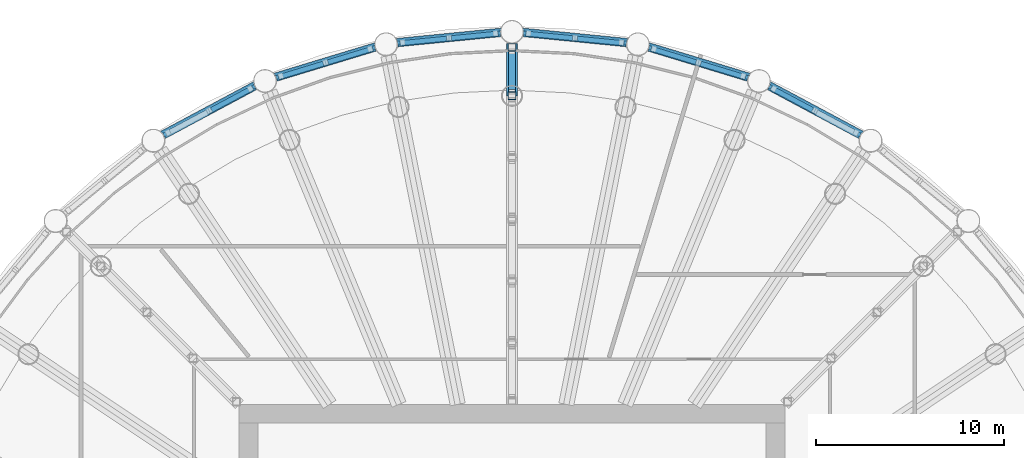
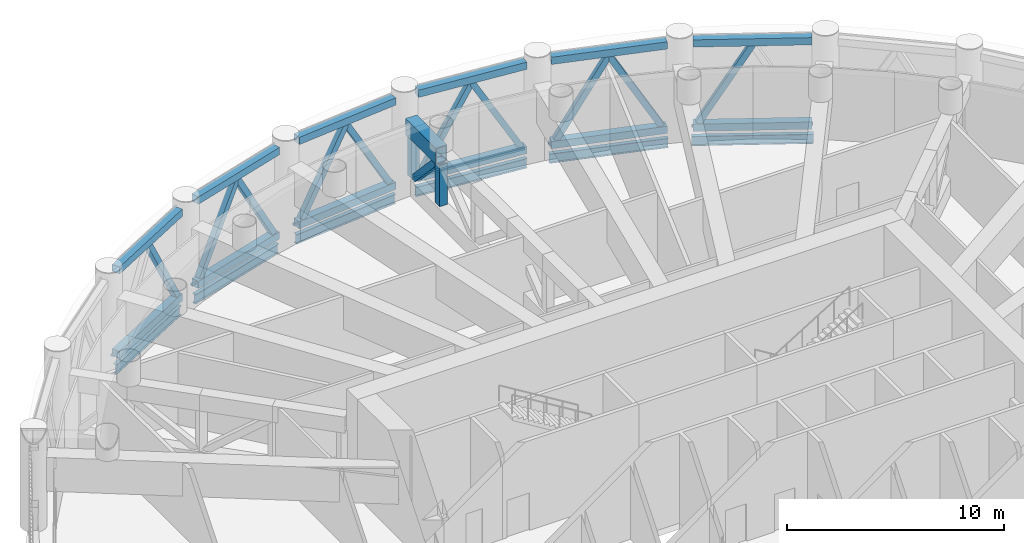
# One storey, part 8 of 29: 32 members, 6 beams, 6 elements without a shape of their own.
"""IFC4 building model written with IfcOpenShell, lengths in metres."""

import ifcopenshell
import ifcopenshell.guid

model = None  # the IFC model being written
_history = None  # IfcOwnerHistory: only IFC2X3 demands one
_inside = {}  # id of a spatial element -> (the spatial element, [elements in it])
_under = {}  # id of a project, library or spatial element -> (it, [spatial elements below it])
_declared = {}  # id of a project -> (the project, [libraries it declares])
_typed = {}  # id of a type object -> (the type object, [elements of that type])
_made_of = {}  # id of a material, layer set ... -> (it, [elements and type objects made of it])


def new_model(schema):
    """Start an empty IFC model of exactly this schema.

    Asked for "IFC4X3", IfcOpenShell would pick the latest addendum, in which some entities
    have other attributes; the version numbers below select the first issue.
    IFC2X3 requires an IfcOwnerHistory on every rooted entity: one is made here for all.
    """
    global model, _history
    if schema == "IFC4X3":
        model = ifcopenshell.file(schema_version=(4, 3, 0, 0))
    else:
        model = ifcopenshell.file(schema=schema)
    _inside.clear()
    _under.clear()
    _declared.clear()
    _typed.clear()
    _made_of.clear()
    _history = None
    if model.schema == "IFC2X3":
        org = make("IfcOrganization", Name="unknown")
        user = make(
            "IfcPersonAndOrganization",
            ThePerson=make("IfcPerson", FamilyName="unknown"),
            TheOrganization=org,
        )
        app = make(
            "IfcApplication",
            ApplicationDeveloper=org,
            Version="unknown",
            ApplicationFullName="unknown",
            ApplicationIdentifier="unknown",
        )
        _history = make(
            "IfcOwnerHistory",
            OwningUser=user,
            OwningApplication=app,
            ChangeAction="ADDED",
            CreationDate=0,
        )
    return model


def make(cls, **values):
    """One entity of the class cls with the attributes given. An attribute that is None is left unset."""
    return model.create_entity(
        cls, **{name: value for name, value in values.items() if value is not None}
    )


def rooted(cls, **values):
    """An entity with a GlobalId (a new one), such as an element, a storey or a relation."""
    return make(cls, GlobalId=ifcopenshell.guid.new(), OwnerHistory=_history, **values)


def si_unit(unit_type, name, prefix=None):
    """IfcSIUnit, for example si_unit("LENGTHUNIT", "METRE", prefix="MILLI")."""
    return make("IfcSIUnit", UnitType=unit_type, Prefix=prefix, Name=name)


def assignment(units):
    """IfcUnitAssignment: the units of a project."""
    return None if units is None else make("IfcUnitAssignment", Units=units)


def point(xyz):
    """IfcCartesianPoint."""
    return None if xyz is None else make("IfcCartesianPoint", Coordinates=xyz)


def direction(xyz):
    """IfcDirection."""
    return None if xyz is None else make("IfcDirection", DirectionRatios=xyz)


def frame(location, z_axis=None, x_axis=None):
    """IfcAxis2Placement3D, a coordinate frame: its origin and axes. An axis left out is left unset."""
    return make(
        "IfcAxis2Placement3D",
        Location=point(location),
        Axis=direction(z_axis),
        RefDirection=direction(x_axis),
    )


def frame_2d(location, x_axis=None):
    """IfcAxis2Placement2D, a coordinate frame in the plane: its origin and x axis."""
    return make(
        "IfcAxis2Placement2D", Location=point(location), RefDirection=direction(x_axis)
    )


def origin():
    """The frame at (0, 0, 0) with its axes left unset."""
    return frame((0.0, 0.0, 0.0))


def origin_2d():
    """The frame at (0, 0) in the plane with its x axis left unset."""
    return frame_2d((0.0, 0.0))


def place(relative_to, where):
    """IfcLocalPlacement: puts the frame where relative to a parent placement (None: the world)."""
    return make(
        "IfcLocalPlacement", PlacementRelTo=relative_to, RelativePlacement=where
    )


def context(
    kind, dimensions, precision=None, world=None, true_north=None, identifier=None
):
    """IfcGeometricRepresentationContext, for example the 3D "Model" context."""
    return make(
        "IfcGeometricRepresentationContext",
        ContextIdentifier=identifier,
        ContextType=kind,
        CoordinateSpaceDimension=dimensions,
        Precision=precision,
        WorldCoordinateSystem=world,
        TrueNorth=true_north,
    )


def subcontext(parent, identifier, kind, view, scale=None):
    """IfcGeometricRepresentationSubContext, for example "Body" below "Model"."""
    return make(
        "IfcGeometricRepresentationSubContext",
        ContextIdentifier=identifier,
        ContextType=kind,
        ParentContext=parent,
        TargetScale=scale,
        TargetView=view,
    )


def project(units=None, contexts=None):
    """IfcProject with its units and contexts."""
    return rooted(
        "IfcProject",
        Name="project",
        RepresentationContexts=contexts,
        UnitsInContext=assignment(units),
    )


def spatial(cls, under=None, at=None, **own):
    """A site, building, storey or space (cls), placed at a placement, below another one or the project."""
    s = rooted(cls, ObjectPlacement=at, **own)
    if under is not None:
        _under.setdefault(under.id(), (under, []))[1].append(s)
    return s


def profile(cls, at=None, kind="AREA", **sizes):
    """A parametric profile (cls). Its sizes go by their IFC names, for example OverallWidth=200.0."""
    return make(cls, ProfileType=kind, Position=at, **sizes)


def rectangle(**sizes):
    """IfcRectangleProfileDef."""
    return profile("IfcRectangleProfileDef", **sizes)


def hollow_rectangle(**sizes):
    """IfcRectangleHollowProfileDef."""
    return profile("IfcRectangleHollowProfileDef", **sizes)


def i_section(**sizes):
    """IfcIShapeProfileDef."""
    return profile("IfcIShapeProfileDef", **sizes)


def extrude(swept, where, along, depth):
    """IfcExtrudedAreaSolid: the profile swept, set in the frame where, extruded along a direction by depth."""
    return make(
        "IfcExtrudedAreaSolid",
        SweptArea=swept,
        Position=where,
        ExtrudedDirection=direction(along),
        Depth=depth,
    )


def shape(context_of_items, identifier, shape_type, items):
    """IfcShapeRepresentation: the items that make up one representation, for example the "Body"."""
    return make(
        "IfcShapeRepresentation",
        ContextOfItems=context_of_items,
        RepresentationIdentifier=identifier,
        RepresentationType=shape_type,
        Items=items,
    )


def material(Name=None, Category=None):
    """IfcMaterial."""
    return make("IfcMaterial", Name=Name, Category=Category)


def material_profile(
    of_material, cross_section, Name=None, Category=None, Priority=None
):
    """IfcMaterialProfile: a cross section and its material."""
    return make(
        "IfcMaterialProfile",
        Name=Name,
        Material=of_material,
        Profile=cross_section,
        Priority=Priority,
        Category=Category,
    )


def profile_set(profiles, Name=None, composite=None):
    """IfcMaterialProfileSet."""
    return make(
        "IfcMaterialProfileSet",
        Name=Name,
        MaterialProfiles=profiles,
        CompositeProfile=composite,
    )


def made_of(thing, what):
    """Note that an element or type object is made of a material, layer set ...; save() writes the relation."""
    if what is not None:
        _made_of.setdefault(what.id(), (what, []))[1].append(thing)
    return thing


def type_object(cls, material=None, **own):
    """A type object (cls), such as IfcWallType, which elements share."""
    return made_of(rooted(cls, **own), material)


def element(
    cls,
    number,
    at=None,
    inside=None,
    cuts=None,
    type_object=None,
    material=None,
    context=None,
    identifier="Body",
    shape_type=None,
    held_by="IfcProductDefinitionShape",
    body=None,
    shapes=None,
    **own,
):
    """One element of the class cls, such as IfcWall. Its Tag is "e" and its number.

    at: its placement. inside: the storey or other place that contains it. cuts: it is an
    opening in that element (IfcRelVoidsElement). A single representation is given by context,
    identifier, shape_type and body (its items); several are given by shapes. held_by: the class
    of the entity that holds the representations. save() writes the other relations.
    """
    e = rooted(cls, Tag="e%d" % number, ObjectPlacement=at, **own)
    if body is not None:
        shapes = [shape(context, identifier, shape_type, body)]
    if shapes is not None:
        e.Representation = make(held_by, Representations=shapes)
    if inside is not None:
        _inside.setdefault(inside.id(), (inside, []))[1].append(e)
    if cuts is not None:
        rooted(
            "IfcRelVoidsElement", RelatingBuildingElement=cuts, RelatedOpeningElement=e
        )
    if type_object is not None:
        _typed.setdefault(type_object.id(), (type_object, []))[1].append(e)
    return made_of(e, material)


def aggregate(whole, parts):
    """IfcRelAggregates: a whole, such as a stair, and the parts it consists of."""
    return rooted("IfcRelAggregates", RelatingObject=whole, RelatedObjects=parts)


def save(model, path):
    """Write the relations noted so far, then the file.

    IfcRelAggregates (storeys below a building ...), IfcRelContainedInSpatialStructure (elements
    in a storey), IfcRelDefinesByType, IfcRelAssociatesMaterial and IfcRelDeclares: one each for
    every whole, place, type object, material and project.
    """
    for whole, parts in _under.values():
        aggregate(whole, parts)
    for where, things in _inside.values():
        rooted(
            "IfcRelContainedInSpatialStructure",
            RelatedElements=things,
            RelatingStructure=where,
        )
    for kind, things in _typed.values():
        rooted("IfcRelDefinesByType", RelatedObjects=things, RelatingType=kind)
    for what, things in _made_of.values():
        rooted("IfcRelAssociatesMaterial", RelatedObjects=things, RelatingMaterial=what)
    for by, libraries in _declared.values():
        rooted("IfcRelDeclares", RelatingContext=by, RelatedDefinitions=libraries)
    model.write(path)


model = new_model("IFC4")

# Units and contexts
model_context = context("Model", 3, precision=1e-05, world=origin(), true_north=direction((0.0, 1.0)))
body_context = subcontext(model_context, "Body", "Model", "MODEL_VIEW")
ifc_project = project(units=[si_unit("LENGTHUNIT", "METRE"), si_unit("AREAUNIT", "SQUARE_METRE"), si_unit("VOLUMEUNIT", "CUBIC_METRE"), si_unit("PLANEANGLEUNIT", "RADIAN"), si_unit("MASSUNIT", "GRAM", prefix="KILO")], contexts=[model_context])

# Site, building, storey
site_placement = place(None, origin())
site = spatial("IfcSite", under=ifc_project, at=site_placement, CompositionType="ELEMENT")
building_placement = place(site_placement, origin())
building = spatial("IfcBuilding", under=site, at=building_placement, Name="Corvane Civic Tower", CompositionType="ELEMENT")
storey_placement = place(building_placement, frame((0.0, 0.0, 138.5)))
storey = spatial("IfcBuildingStorey", under=building, at=storey_placement, Name="L32", CompositionType="ELEMENT", Elevation=138.5)

# Members
ifc_material_1 = material(Name="Steel ASTM A500 Gr C", Category="steel")
ifc_material_profile_1 = material_profile(ifc_material_1, hollow_rectangle(XDim=0.406494140625, YDim=0.406494140625, WallThickness=0.0146484375, at=origin_2d()), Name="HSS16X16X5/8")
ifc_profile_set_1 = profile_set([ifc_material_profile_1], Name="Steel ASTM A500 Gr C")
member_type_1 = type_object("IfcMemberType", Name="BELT CHORD HSS16X16X5/8", PredefinedType="CHORD", material=ifc_profile_set_1)
for number, where, z_axis, x_axis, name in (
    (1, (0.6220703125, 34.23876953125, 4.94677734375), (0.995183154593, -0.098033100605, 0.0), (0.098033100605, 0.995183154593, 0.0), "Belt truss BT-L32"),
    (2, (0.6220703125, 34.23876953125, 0.203125), (0.995183154593, -0.098033100605, 0.0), (0.098033100605, 0.995183154593, 0.0), "Belt truss BT-L32"),
    (3, (7.289794921875, 33.45947265625, 4.94677734375), (0.956931700875, -0.290313141039, 0.0), (0.290313141039, 0.956931700875, 0.0), "Belt truss BT-L32"),
    (4, (7.289794921875, 33.45947265625, 0.203125), (0.956931700875, -0.290313141039, 0.0), (0.290313141039, 0.956931700875, 0.0), "Belt truss BT-L32"),
    (5, (13.67724609375, 31.394287109375, 4.94677734375), (0.881929111224, -0.47138205606, 0.0), (0.47138205606, 0.881929111224, 0.0), "Belt truss BT-L32"),
    (6, (13.67724609375, 31.394287109375, 0.203125), (0.881929111224, -0.47138205606, 0.0), (0.47138205606, 0.881929111224, 0.0), "Belt truss BT-L32"),
    (7, (-18.5048828125, 28.81396484375, 4.94677734375), (0.881929111224, 0.47138205606, 0.0), (-0.47138205606, 0.881929111224, 0.0), "Belt truss BT-L32"),
    (8, (-18.5048828125, 28.81396484375, 0.203125), (0.881929111224, 0.47138205606, 0.0), (-0.47138205606, 0.881929111224, 0.0), "Belt truss BT-L32"),
    (9, (-12.52783203125, 31.870361328125, 4.94677734375), (0.956931700875, 0.290313141039, 0.0), (-0.290313141039, 0.956931700875, 0.0), "Belt truss BT-L32"),
    (10, (-12.52783203125, 31.870361328125, 0.203125), (0.956931700875, 0.290313141039, 0.0), (-0.290313141039, 0.956931700875, 0.0), "Belt truss BT-L32"),
    (11, (-6.069580078125, 33.7021484375, 4.94677734375), (0.995183154593, 0.098033100605, 0.0), (-0.098033100605, 0.995183154593, 0.0), "Belt truss BT-L32"),
    (12, (-6.069580078125, 33.7021484375, 0.203125), (0.995183154593, 0.098033100605, 0.0), (-0.098033100605, 0.995183154593, 0.0), "Belt truss BT-L32"),
):
    element("IfcMember", number, at=place(storey_placement, frame(where, z_axis=z_axis, x_axis=x_axis)), inside=storey, type_object=member_type_1, Name=name, PredefinedType="CHORD", context=body_context, shape_type="SweptSolid", body=[
        extrude(hollow_rectangle(XDim=0.406494140625, YDim=0.406494140625, WallThickness=0.0146484375, at=origin_2d()), origin(), (0.0, 0.0, 1.0), 5.473876953125),
    ])
ifc_material_2 = material(Name="Steel ASTM A500 Gr C", Category="steel")
ifc_material_profile_2 = material_profile(ifc_material_2, hollow_rectangle(XDim=0.3046875, YDim=0.3046875, WallThickness=0.01171875, at=origin_2d()), Name="HSS12X12X1/2")
ifc_profile_set_2 = profile_set([ifc_material_profile_2], Name="Steel ASTM A500 Gr C")
member_type_2 = type_object("IfcMemberType", Name="BELT DIAGONAL HSS12X12X1/2", PredefinedType="BRACE", material=ifc_profile_set_2)
member_1_placement = place(storey_placement, frame((0.870849609375, 34.21435546875, 0.406494140625), z_axis=(0.495053837868, -0.048782677454, 0.867491756729), x_axis=(0.098065181873, 0.995179993822, 0.0)))
element("IfcMember", 13, at=member_1_placement, inside=storey, type_object=member_type_2, Name="Belt truss BT-L32", PredefinedType="BRACE", context=body_context, shape_type="SweptSolid", body=[
    extrude(hollow_rectangle(XDim=0.3046875, YDim=0.3046875, WallThickness=0.01171875, at=origin_2d()), origin(), (0.0, 0.0, 1.0), 4.999755859375),
])
for number, where, z_axis, x_axis, name in (
    (14, (5.82080078125, 33.7265625, 0.406494140625), (-0.495016972565, 0.048783856722, 0.867512727397), (-0.098074762811, -0.995179049669, 0.0), "Belt truss BT-L32"),
    (15, (7.529052734375, 33.386962890625, 0.406494140625), (0.475977281417, -0.144399796979, 0.867521945663), (0.290309839091, 0.956932702611, 0.0), "Belt truss BT-L32"),
    (16, (12.28857421875, 31.94287109375, 0.406494140625), (-0.476011692933, 0.14444425397, 0.867495663209), (-0.290372459305, -0.956913702942, 0.0), "Belt truss BT-L32"),
    (17, (13.897705078125, 31.276611328125, 0.406494140625), (0.438705197767, -0.234490467462, 0.867497533208), (0.471393068459, 0.881923225122, 0.0), "Belt truss BT-L32"),
    (18, (-13.897705078125, 31.276611328125, 0.406494140625), (-0.438705197767, -0.234490467462, 0.867497533208), (0.471393068459, -0.881923225122, 0.0), "Belt truss BT-L32"),
    (19, (-12.28857421875, 31.94287109375, 0.406494140625), (0.476011692933, 0.14444425397, 0.867495663209), (-0.290372459305, 0.956913702942, 0.0), "Belt truss BT-L32"),
    (20, (-7.529052734375, 33.386962890625, 0.406494140625), (-0.475977281417, -0.144399796979, 0.867521945663), (0.290309839091, -0.956932702611, 0.0), "Belt truss BT-L32"),
    (21, (-5.82080078125, 33.7265625, 0.406494140625), (0.495016972565, 0.048783856722, 0.867512727397), (-0.098074762811, 0.995179049669, 0.0), "Belt truss BT-L32"),
):
    element("IfcMember", number, at=place(storey_placement, frame(where, z_axis=z_axis, x_axis=x_axis)), inside=storey, type_object=member_type_2, Name=name, PredefinedType="BRACE", context=body_context, shape_type="SweptSolid", body=[
        extrude(hollow_rectangle(XDim=0.3046875, YDim=0.3046875, WallThickness=0.01171875, at=origin_2d()), origin(), (0.0, 0.0, 1.0), 4.99951171875),
    ])
member_2_placement = place(storey_placement, frame((-0.870849609375, 34.21435546875, 0.406494140625), z_axis=(-0.495053837868, -0.048782677454, 0.867491756729), x_axis=(0.098065181873, -0.995179993822, 0.0)))
element("IfcMember", 22, at=member_2_placement, inside=storey, type_object=member_type_2, Name="Belt truss BT-L32", PredefinedType="BRACE", context=body_context, shape_type="SweptSolid", body=[
    extrude(hollow_rectangle(XDim=0.3046875, YDim=0.3046875, WallThickness=0.01171875, at=origin_2d()), origin(), (0.0, 0.0, 1.0), 4.999755859375),
])

# Beams
ifc_material_3 = material(Name="Steel ASTM A992 Gr 50", Category="steel")
ifc_material_profile_3 = material_profile(ifc_material_3, i_section(OverallWidth=0.209228515625, OverallDepth=0.533447265625, WebThickness=0.01025390625, FlangeThickness=0.015625, at=origin_2d()), Name="W21X62")
ifc_profile_set_3 = profile_set([ifc_material_profile_3], Name="Steel ASTM A992 Gr 50")
beam_type = type_object("IfcBeamType", Name="EDGE BEAM W21X62", PredefinedType="BEAM", material=ifc_profile_set_3)
beam_1_placement = place(storey_placement, frame((0.54736328125, 34.24609375, -0.61669921875), z_axis=(0.995184368522, -0.098020776625, 0.0), x_axis=(0.098020776625, 0.995184368522, 0.0)))
element("IfcBeam", 23, at=beam_1_placement, inside=storey, type_object=beam_type, Name="BM-L32-E01", PredefinedType="BEAM", context=body_context, shape_type="SweptSolid", body=[
    extrude(i_section(OverallWidth=0.209228515625, OverallDepth=0.533447265625, WebThickness=0.01025390625, FlangeThickness=0.015625, at=origin_2d()), origin(), (0.0, 0.0, 1.0), 5.6240234375),
])
beam_2_placement = place(storey_placement, frame((7.218017578125, 33.481201171875, -0.61669921875), z_axis=(0.956936367498, -0.290297758448, 0.0), x_axis=(0.290297758448, 0.956936367498, 0.0)))
element("IfcBeam", 24, at=beam_2_placement, inside=storey, type_object=beam_type, Name="BM-L32-E02", PredefinedType="BEAM", context=body_context, shape_type="SweptSolid", body=[
    extrude(i_section(OverallWidth=0.209228515625, OverallDepth=0.533447265625, WebThickness=0.01025390625, FlangeThickness=0.015625, at=origin_2d()), origin(), (0.0, 0.0, 1.0), 5.623779296875),
])
for number, where, z_axis, x_axis, name in (
    (25, (13.611083984375, 31.4296875, -0.61669921875), (0.88192357867, -0.471392407008, 0.0), (0.471392407008, 0.88192357867, 0.0), "BM-L32-E03"),
    (26, (-18.571044921875, 28.778564453125, -0.61669921875), (0.88192357867, 0.471392407008, 0.0), (-0.471392407008, 0.88192357867, 0.0), "BM-L32-E30"),
):
    element("IfcBeam", number, at=place(storey_placement, frame(where, z_axis=z_axis, x_axis=x_axis)), inside=storey, type_object=beam_type, Name=name, PredefinedType="BEAM", context=body_context, shape_type="SweptSolid", body=[
        extrude(i_section(OverallWidth=0.209228515625, OverallDepth=0.533447265625, WebThickness=0.01025390625, FlangeThickness=0.015625, at=origin_2d()), origin(), (0.0, 0.0, 1.0), 5.6240234375),
    ])
beam_3_placement = place(storey_placement, frame((-12.599609375, 31.8486328125, -0.61669921875), z_axis=(0.956936367498, 0.290297758448, 0.0), x_axis=(-0.290297758448, 0.956936367498, 0.0)))
element("IfcBeam", 27, at=beam_3_placement, inside=storey, type_object=beam_type, Name="BM-L32-E31", PredefinedType="BEAM", context=body_context, shape_type="SweptSolid", body=[
    extrude(i_section(OverallWidth=0.209228515625, OverallDepth=0.533447265625, WebThickness=0.01025390625, FlangeThickness=0.015625, at=origin_2d()), origin(), (0.0, 0.0, 1.0), 5.623779296875),
])
beam_4_placement = place(storey_placement, frame((-6.144287109375, 33.69482421875, -0.61669921875), z_axis=(0.995184368522, 0.098020776625, 0.0), x_axis=(-0.098020776625, 0.995184368522, 0.0)))
element("IfcBeam", 28, at=beam_4_placement, inside=storey, type_object=beam_type, Name="BM-L32-E32", PredefinedType="BEAM", context=body_context, shape_type="SweptSolid", body=[
    extrude(i_section(OverallWidth=0.209228515625, OverallDepth=0.533447265625, WebThickness=0.01025390625, FlangeThickness=0.015625, at=origin_2d()), origin(), (0.0, 0.0, 1.0), 5.6240234375),
])

# Members
ifc_material_4 = material(Name="Steel ASTM A572 Gr 50", Category="steel")
ifc_material_profile_4 = material_profile(ifc_material_4, hollow_rectangle(XDim=0.60009765625, YDim=0.89990234375, WallThickness=0.0400390625, at=origin_2d()), Name="BOX900X600X40")
ifc_profile_set_4 = profile_set([ifc_material_profile_4], Name="Steel ASTM A572 Gr 50")
member_type_3 = type_object("IfcMemberType", Name="OUTRIGGER CHORD BOX900X600X40", PredefinedType="CHORD", material=ifc_profile_set_4)
member_3_placement = place(storey_placement, frame((0.0, 30.89990234375, 3.64990234375), z_axis=(0.0, 1.0, 0.0), x_axis=(-1.0, 0.0, 0.0)))
element("IfcMember", 29, at=member_3_placement, inside=storey, type_object=member_type_3, Name="Outrigger truss OT-L32-1", PredefinedType="CHORD", context=body_context, shape_type="SweptSolid", body=[
    extrude(hollow_rectangle(XDim=0.60009765625, YDim=0.89990234375, WallThickness=0.0400390625, at=origin_2d()), origin(), (0.0, 0.0, 1.0), 2.775146484375),
])
ifc_material_5 = material(Name="Steel ASTM A500 Gr C", Category="steel")
ifc_material_profile_5 = material_profile(ifc_material_5, hollow_rectangle(XDim=0.355712890625, YDim=0.355712890625, WallThickness=0.01171875, at=origin_2d()), Name="HSS14X14X1/2")
ifc_profile_set_5 = profile_set([ifc_material_profile_5], Name="Steel ASTM A500 Gr C")
member_type_4 = type_object("IfcMemberType", Name="OUTRIGGER DIAGONAL HSS14X14X1/2", PredefinedType="BRACE", material=ifc_profile_set_5)
member_4_placement = place(storey_placement, frame((0.0, 31.103271484375, 3.199951171875), z_axis=(0.0, 0.685453892401, -0.728116035665), x_axis=(-1.0, 0.0, 0.0)))
element("IfcMember", 30, at=member_4_placement, inside=storey, type_object=member_type_4, Name="Outrigger truss OT-L32-1", PredefinedType="BRACE", context=body_context, shape_type="SweptSolid", body=[
    extrude(hollow_rectangle(XDim=0.355712890625, YDim=0.355712890625, WallThickness=0.01171875, at=origin_2d()), origin(), (0.0, 0.0, 1.0), 3.158935546875),
])
ifc_material_6 = material(Name="Steel ASTM A500 Gr C", Category="steel")
ifc_material_profile_6 = material_profile(ifc_material_6, hollow_rectangle(XDim=0.406494140625, YDim=0.406494140625, WallThickness=0.0146484375, at=origin_2d()), Name="HSS16X16X5/8")
ifc_profile_set_6 = profile_set([ifc_material_profile_6], Name="Steel ASTM A500 Gr C")
member_type_5 = type_object("IfcMemberType", Name="OUTRIGGER POST HSS16X16X5/8", PredefinedType="POST", material=ifc_profile_set_6)
for number, where, z_axis, x_axis, name in (
    (31, (0.0, 30.89990234375, 0.89990234375), (0.0, 0.0, 1.0), (1.0, 0.0, 0.0), "Outrigger truss OT-L32-1"),
    (32, (0.0, 33.4716796875, 0.89990234375), (0.0, 0.0, 1.0), (1.0, 0.0, 0.0), "Outrigger truss OT-L32-1"),
):
    element("IfcMember", number, at=place(storey_placement, frame(where, z_axis=z_axis, x_axis=x_axis)), inside=storey, type_object=member_type_5, Name=name, PredefinedType="POST", context=body_context, shape_type="SweptSolid", body=[
        extrude(hollow_rectangle(XDim=0.406494140625, YDim=0.406494140625, WallThickness=0.0146484375, at=origin_2d()), origin(), (0.0, 0.0, 1.0), 2.300048828125),
    ])

# Curtain wall, member
ifc_material_7 = material(Name="Anodised aluminium bronze", Category="aluminium")
curtain_wall_type = type_object("IfcCurtainWallType", Name="TOWER CW-LV LOUVRE SCREEN WALL", PredefinedType="NOTDEFINED", material=ifc_material_7)
curtain_wall_1_placement = place(storey_placement, origin())
curtain_wall_1 = element("IfcCurtainWall", 33, at=curtain_wall_1_placement, inside=storey, type_object=curtain_wall_type, Name="Louvre screen wall CW-LV L32 bay 01", PredefinedType="NOTDEFINED")
ifc_material_8 = material(Name="Anodised aluminium bronze", Category="aluminium")
ifc_material_profile_7 = material_profile(ifc_material_8, rectangle(XDim=0.139892578125, YDim=0.1201171875, at=origin_2d()), Name="TOWER CW-LV TRANSOM 140x120")
ifc_profile_set_7 = profile_set([ifc_material_profile_7], Name="Anodised aluminium bronze")
member_type_6 = type_object("IfcMemberType", Name="TOWER CW-LV TRANSOM 140x120", PredefinedType="USERDEFINED", material=ifc_profile_set_7)
member_5_placement = place(storey_placement, frame((0.58349609375, 34.422607421875, 0.06005859375), z_axis=(0.995179807033, -0.098067077419, 0.0), x_axis=(0.098067077419, 0.995179807033, 0.0)))
member_5 = element("IfcMember", 34, at=member_5_placement, type_object=member_type_6, Name="Transom CW-LV L32 01.1", ObjectType="TRANSOM", PredefinedType="USERDEFINED", context=body_context, shape_type="SweptSolid", body=[
    extrude(rectangle(XDim=0.139892578125, YDim=0.1201171875, at=origin_2d()), origin(), (0.0, 0.0, 1.0), 5.58642578125),
])
aggregate(curtain_wall_1, [member_5])

curtain_wall_2_placement = place(storey_placement, origin())
curtain_wall_2 = element("IfcCurtainWall", 35, at=curtain_wall_2_placement, inside=storey, type_object=curtain_wall_type, Name="Louvre screen wall CW-LV L32 bay 02", PredefinedType="NOTDEFINED")
member_6_placement = place(storey_placement, frame((7.287841796875, 33.647216796875, 0.06005859375), z_axis=(0.956944977029, -0.290269376509, 0.0), x_axis=(0.290269376509, 0.956944977029, 0.0)))
member_6 = element("IfcMember", 36, at=member_6_placement, type_object=member_type_6, Name="Transom CW-LV L32 02.1", ObjectType="TRANSOM", PredefinedType="USERDEFINED", context=body_context, shape_type="SweptSolid", body=[
    extrude(rectangle(XDim=0.139892578125, YDim=0.1201171875, at=origin_2d()), origin(), (0.0, 0.0, 1.0), 5.58642578125),
])
aggregate(curtain_wall_2, [member_6])

curtain_wall_3_placement = place(storey_placement, origin())
curtain_wall_3 = element("IfcCurtainWall", 37, at=curtain_wall_3_placement, inside=storey, type_object=curtain_wall_type, Name="Louvre screen wall CW-LV L32 bay 03", PredefinedType="NOTDEFINED")
member_7_placement = place(storey_placement, frame((13.712158203125, 31.5791015625, 0.06005859375), z_axis=(0.881920705407, -0.47139778253, 0.0), x_axis=(0.47139778253, 0.881920705407, 0.0)))
member_7 = element("IfcMember", 38, at=member_7_placement, type_object=member_type_6, Name="Transom CW-LV L32 03.1", ObjectType="TRANSOM", PredefinedType="USERDEFINED", context=body_context, shape_type="SweptSolid", body=[
    extrude(rectangle(XDim=0.139892578125, YDim=0.1201171875, at=origin_2d()), origin(), (0.0, 0.0, 1.0), 5.586669921875),
])
aggregate(curtain_wall_3, [member_7])

curtain_wall_4_placement = place(storey_placement, origin())
curtain_wall_4 = element("IfcCurtainWall", 39, at=curtain_wall_4_placement, inside=storey, type_object=curtain_wall_type, Name="Louvre screen wall CW-LV L32 bay 30", PredefinedType="NOTDEFINED")
member_8_placement = place(storey_placement, frame((-18.63916015625, 28.945556640625, 0.06005859375), z_axis=(0.881920705407, 0.47139778253, 0.0), x_axis=(-0.47139778253, 0.881920705407, 0.0)))
member_8 = element("IfcMember", 40, at=member_8_placement, type_object=member_type_6, Name="Transom CW-LV L32 30.1", ObjectType="TRANSOM", PredefinedType="USERDEFINED", context=body_context, shape_type="SweptSolid", body=[
    extrude(rectangle(XDim=0.139892578125, YDim=0.1201171875, at=origin_2d()), origin(), (0.0, 0.0, 1.0), 5.586669921875),
])
aggregate(curtain_wall_4, [member_8])

curtain_wall_5_placement = place(storey_placement, origin())
curtain_wall_5 = element("IfcCurtainWall", 41, at=curtain_wall_5_placement, inside=storey, type_object=curtain_wall_type, Name="Louvre screen wall CW-LV L32 bay 31", PredefinedType="NOTDEFINED")
member_9_placement = place(storey_placement, frame((-12.6337890625, 32.025634765625, 0.06005859375), z_axis=(0.956944977029, 0.290269376509, 0.0), x_axis=(-0.290269376509, 0.956944977029, 0.0)))
member_9 = element("IfcMember", 42, at=member_9_placement, type_object=member_type_6, Name="Transom CW-LV L32 31.1", ObjectType="TRANSOM", PredefinedType="USERDEFINED", context=body_context, shape_type="SweptSolid", body=[
    extrude(rectangle(XDim=0.139892578125, YDim=0.1201171875, at=origin_2d()), origin(), (0.0, 0.0, 1.0), 5.58642578125),
])
aggregate(curtain_wall_5, [member_9])

curtain_wall_6_placement = place(storey_placement, origin())
curtain_wall_6 = element("IfcCurtainWall", 43, at=curtain_wall_6_placement, inside=storey, type_object=curtain_wall_type, Name="Louvre screen wall CW-LV L32 bay 32", PredefinedType="NOTDEFINED")
member_10_placement = place(storey_placement, frame((-6.14306640625, 33.874755859375, 0.06005859375), z_axis=(0.995179807033, 0.098067077419, 0.0), x_axis=(-0.098067077419, 0.995179807033, 0.0)))
member_10 = element("IfcMember", 44, at=member_10_placement, type_object=member_type_6, Name="Transom CW-LV L32 32.1", ObjectType="TRANSOM", PredefinedType="USERDEFINED", context=body_context, shape_type="SweptSolid", body=[
    extrude(rectangle(XDim=0.139892578125, YDim=0.1201171875, at=origin_2d()), origin(), (0.0, 0.0, 1.0), 5.58642578125),
])
aggregate(curtain_wall_6, [member_10])

save(model, "model.ifc")
